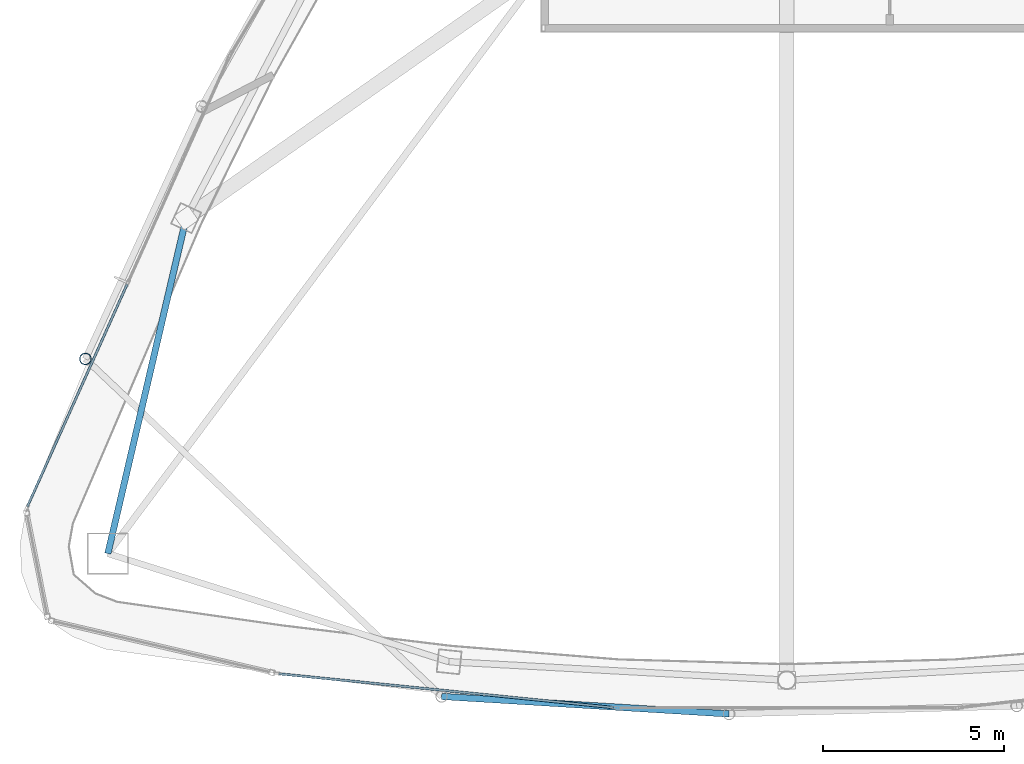
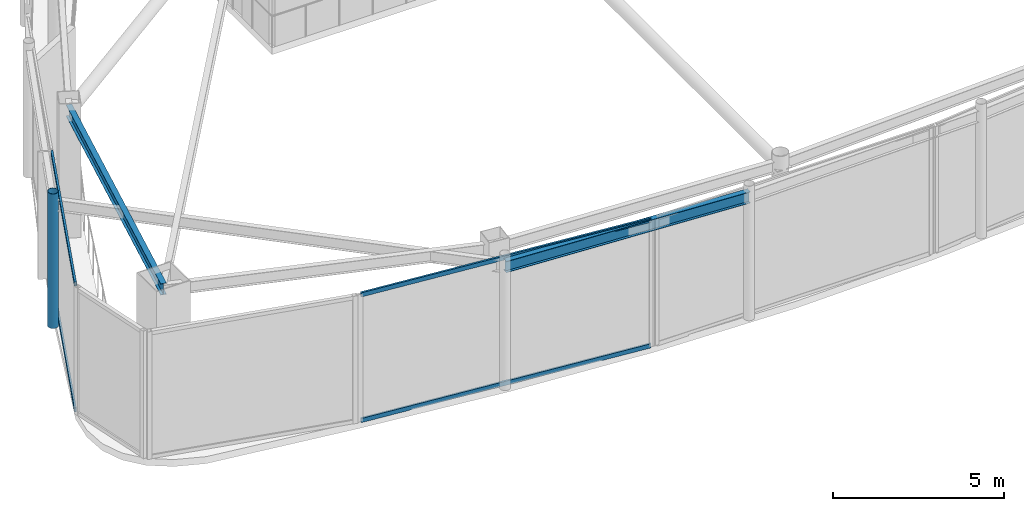
# One storey, part 3 of 20: 5 members, 2 beams, 2 elements without a shape of their own.
"""IFC4 building model written with IfcOpenShell, lengths in metres."""

from ifc_helpers import new_model, si_unit, direction, frame, origin, origin_2d, place, context, subcontext, project, spatial, hollow_rectangle, hollow_circle, i_section, extrude, material, layer, layer_set, material_profile, profile_set, type_object, element, aggregate, save


model = new_model("IFC4")

# Units and contexts
model_context = context("Model", 3, precision=1e-05, world=origin(), true_north=direction((0.0, 1.0)))
body_context = subcontext(model_context, "Body", "Model", "MODEL_VIEW")
ifc_project = project(units=[si_unit("LENGTHUNIT", "METRE"), si_unit("AREAUNIT", "SQUARE_METRE"), si_unit("VOLUMEUNIT", "CUBIC_METRE"), si_unit("PLANEANGLEUNIT", "RADIAN"), si_unit("MASSUNIT", "GRAM", prefix="KILO")], contexts=[model_context])

# Site, building, storey
site_placement = place(None, origin())
site = spatial("IfcSite", under=ifc_project, at=site_placement, CompositionType="ELEMENT")
building_placement = place(site_placement, origin())
building = spatial("IfcBuilding", under=site, at=building_placement, Name="Orvanel Arch Residences", CompositionType="ELEMENT")
storey_placement = place(building_placement, frame((0.0, 0.0, 305.300048828125)))
storey = spatial("IfcBuildingStorey", under=building, at=storey_placement, Name="L85", CompositionType="ELEMENT", Elevation=305.300048828125)

# Beams
ifc_material_1 = material(Name="Structural steel AS/NZS 3679.1 Grade 300 (300 MPa)", Category="steel")
ifc_material_profile_1 = material_profile(ifc_material_1, i_section(OverallWidth=0.177978515625, OverallDepth=0.406005859375, WebThickness=0.0078125, FlangeThickness=0.0126953125, at=origin_2d()), Name="410UB59.7")
ifc_profile_set_1 = profile_set([ifc_material_profile_1], Name="Structural steel AS/NZS 3679.1 Grade 300 (300 MPa)")
beam_type_1 = type_object("IfcBeamType", Name="OB-410UB", PredefinedType="SPANDREL", material=ifc_profile_set_1)
beam_1_placement = place(storey_placement, frame((16.366943359375, 19.64208984375, 4.346923828125), z_axis=(-0.227236087167, -0.973839699688, 0.0), x_axis=(0.973839699688, -0.227236087167, 0.0)))
element("IfcBeam", 1, at=beam_1_placement, inside=storey, type_object=beam_type_1, Name="L85 Perimeter Spandrel Beam 01", PredefinedType="SPANDREL", context=body_context, shape_type="SweptSolid", body=[
    extrude(i_section(OverallWidth=0.177978515625, OverallDepth=0.406005859375, WebThickness=0.0078125, FlangeThickness=0.0126953125, at=origin_2d()), origin(), (0.0, 0.0, 1.0), 9.54052734375),
])
ifc_material_profile_2 = material_profile(ifc_material_1, i_section(OverallWidth=0.177978515625, OverallDepth=0.406005859375, WebThickness=0.0078125, FlangeThickness=0.0126953125, at=origin_2d()), Name="410UB59.7")
ifc_profile_set_2 = profile_set([ifc_material_profile_2], Name="Structural steel AS/NZS 3679.1 Grade 300 (300 MPa)")
beam_type_2 = type_object("IfcBeamType", Name="OB-410UB-EXT", PredefinedType="SPANDREL", material=ifc_profile_set_2)
beam_2_placement = place(storey_placement, frame((23.44189453125, 6.39404296875, 4.346923828125), z_axis=(0.998146745254, -0.060852895889, 0.0), x_axis=(0.060852895889, 0.998146745254, 0.0)))
element("IfcBeam", 2, at=beam_2_placement, inside=storey, type_object=beam_type_2, Name="L85 Outer Perimeter Floor Ring Beam 05", PredefinedType="SPANDREL", context=body_context, shape_type="SweptSolid", body=[
    extrude(i_section(OverallWidth=0.177978515625, OverallDepth=0.406005859375, WebThickness=0.0078125, FlangeThickness=0.0126953125, at=origin_2d()), origin(), (0.0, 0.0, 1.0), 7.971923828125),
])

# Member
ifc_material_2 = material(Name="Structural steel AS/NZS 1163 C350L0 (Grade 350)", Category="steel")
ifc_material_profile_3 = material_profile(ifc_material_2, hollow_circle(Radius=0.162109375, WallThickness=0.0126953125, at=origin_2d()), Name="CHS324x12.7")
ifc_profile_set_3 = profile_set([ifc_material_profile_3], Name="Structural steel AS/NZS 1163 C350L0 (Grade 350)")
member_type_1 = type_object("IfcMemberType", Name="ST-324CHS-EXT", PredefinedType="STRUT", material=ifc_profile_set_3)
member_1_placement = place(storey_placement, frame((13.577880859375, 15.740966796875, 0.0), z_axis=(0.0, 0.0, 1.0), x_axis=(1.0, 0.0, 0.0)))
element("IfcMember", 3, at=member_1_placement, inside=storey, type_object=member_type_1, Name="L85 Outer Perimeter Frame Post 04", PredefinedType="STRUT", context=body_context, shape_type="SweptSolid", body=[
    extrude(hollow_circle(Radius=0.162109375, WallThickness=0.0126953125, at=origin_2d()), origin(), (0.0, 0.0, 1.0), 4.800048828125),
])

# Curtain wall, members
ifc_material_3 = material(Name="Bronze-anodised aluminium AA6063-T6", Category="aluminium")
ifc_layer = layer(ifc_material_3, 0.2099609375)
ifc_layer_set = layer_set([ifc_layer], Name="Bronze-anodised aluminium AA6063-T6")
curtain_wall_type = type_object("IfcCurtainWallType", Name="CW7-TOP-SYS", PredefinedType="NOTDEFINED", material=ifc_layer_set)
curtain_wall_1_placement = place(storey_placement, origin())
curtain_wall_1 = element("IfcCurtainWall", 4, at=curtain_wall_1_placement, inside=storey, type_object=curtain_wall_type, Name="L85 CW7-TOP-SYS Unitised Curtain Wall", PredefinedType="NOTDEFINED")
ifc_material_profile_4 = material_profile(ifc_material_3, hollow_rectangle(XDim=0.06494140625, YDim=0.14990234375, WallThickness=0.00390625, at=origin_2d()), Name="ALU150x65x4")
ifc_profile_set_4 = profile_set([ifc_material_profile_4], Name="Bronze-anodised aluminium AA6063-T6")
member_type_2 = type_object("IfcMemberType", Name="TRN-150x65", PredefinedType="USERDEFINED", material=ifc_profile_set_4)
member_2_placement = place(storey_placement, frame((14.734619140625, 17.811767578125, 0.032470703125), z_axis=(-0.409346580659, -0.912378965618, 0.0), x_axis=(0.912378965618, -0.409346580659, 0.0)))
member_2 = element("IfcMember", 5, at=member_2_placement, type_object=member_type_2, Name="CW-S7 transom 2.1", ObjectType="TRANSOM", PredefinedType="USERDEFINED", context=body_context, shape_type="SweptSolid", body=[
    extrude(hollow_rectangle(XDim=0.06494140625, YDim=0.14990234375, WallThickness=0.00390625, at=origin_2d()), origin(), (0.0, 0.0, 1.0), 6.751953125),
])
member_3_placement = place(storey_placement, frame((14.734619140625, 17.811767578125, 4.517333984375), z_axis=(-0.409346580659, -0.912378965618, 0.0), x_axis=(0.912378965618, -0.409346580659, 0.0)))
member_3 = element("IfcMember", 6, at=member_3_placement, type_object=member_type_2, Name="CW-S7 transom 2.2", ObjectType="TRANSOM", PredefinedType="USERDEFINED", context=body_context, shape_type="SweptSolid", body=[
    extrude(hollow_rectangle(XDim=0.06494140625, YDim=0.14990234375, WallThickness=0.00390625, at=origin_2d()), origin(), (0.0, 0.0, 1.0), 6.751953125),
])
aggregate(curtain_wall_1, [member_2, member_3])

curtain_wall_2_placement = place(storey_placement, origin())
curtain_wall_2 = element("IfcCurtainWall", 7, at=curtain_wall_2_placement, inside=storey, type_object=curtain_wall_type, Name="L85 CW7-TOP-SYS Unitised Curtain Wall", PredefinedType="NOTDEFINED")
member_4_placement = place(storey_placement, frame((18.9326171875, 7.0224609375, 0.032470703125), z_axis=(0.994933979893, -0.100530471276, 0.0), x_axis=(0.100530471276, 0.994933979893, 0.0)))
member_4 = element("IfcMember", 8, at=member_4_placement, type_object=member_type_2, Name="CW-S7 transom 1.1", ObjectType="TRANSOM", PredefinedType="USERDEFINED", context=body_context, shape_type="SweptSolid", body=[
    extrude(hollow_rectangle(XDim=0.06494140625, YDim=0.14990234375, WallThickness=0.00390625, at=origin_2d()), origin(), (0.0, 0.0, 1.0), 9.298828125),
])
member_5_placement = place(storey_placement, frame((18.9326171875, 7.0224609375, 4.517333984375), z_axis=(0.994933979893, -0.100530471276, 0.0), x_axis=(0.100530471276, 0.994933979893, 0.0)))
member_5 = element("IfcMember", 9, at=member_5_placement, type_object=member_type_2, Name="CW-S7 transom 1.2", ObjectType="TRANSOM", PredefinedType="USERDEFINED", context=body_context, shape_type="SweptSolid", body=[
    extrude(hollow_rectangle(XDim=0.06494140625, YDim=0.14990234375, WallThickness=0.00390625, at=origin_2d()), origin(), (0.0, 0.0, 1.0), 9.298828125),
])
aggregate(curtain_wall_2, [member_4, member_5])

save(model, "model.ifc")
